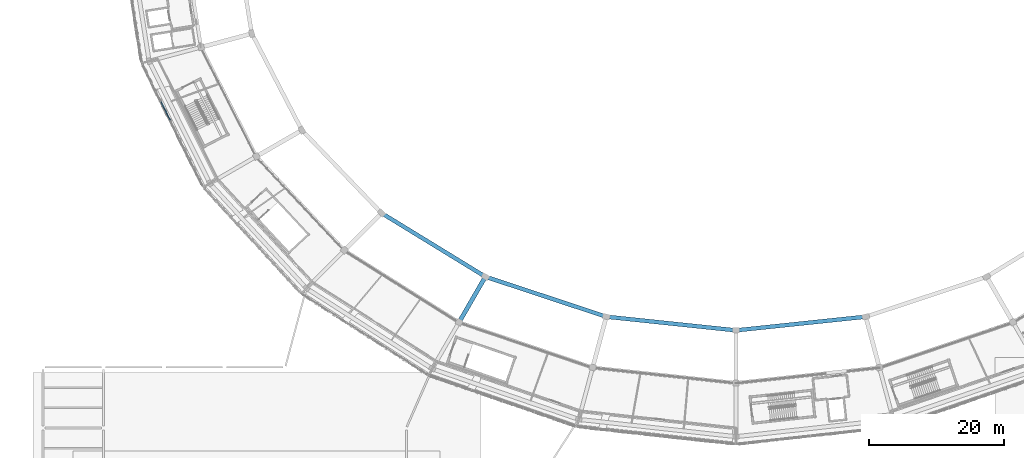
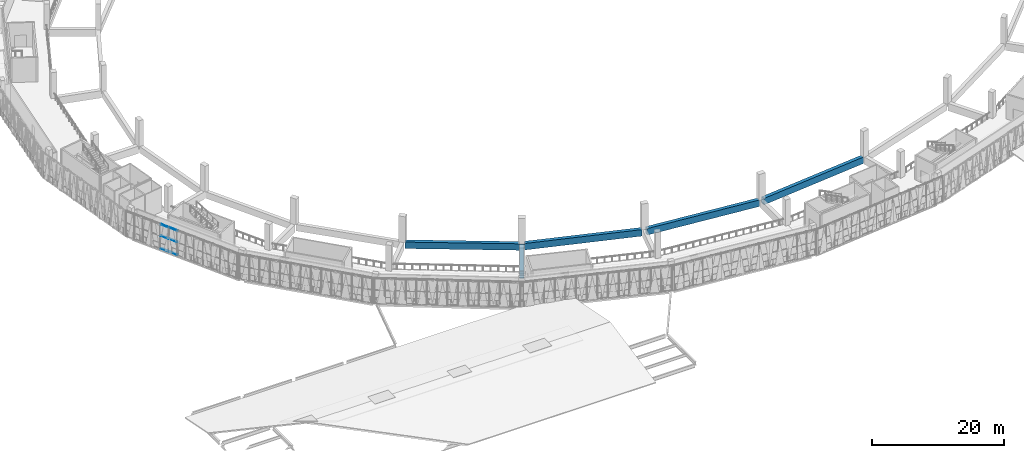
# One storey, part 11 of 108: 6 members, 5 beams, 1 element without a shape of its own.
"""IFC4 building model written with IfcOpenShell, lengths in metres."""

from ifc_helpers import new_model, si_unit, direction, frame, origin, origin_2d, place, context, subcontext, project, spatial, rectangle, extrude, material, material_profile, profile_set, type_object, element, aggregate, save


model = new_model("IFC4")

# Units and contexts
model_context = context("Model", 3, precision=1e-05, world=origin(), true_north=direction((0.0, 1.0)))
body_context = subcontext(model_context, "Body", "Model", "MODEL_VIEW")
ifc_project = project(units=[si_unit("LENGTHUNIT", "METRE"), si_unit("AREAUNIT", "SQUARE_METRE"), si_unit("VOLUMEUNIT", "CUBIC_METRE"), si_unit("PLANEANGLEUNIT", "RADIAN"), si_unit("MASSUNIT", "GRAM", prefix="KILO")], contexts=[model_context])

# Site, building, storey
site_placement = place(None, origin())
site = spatial("IfcSite", under=ifc_project, at=site_placement, CompositionType="ELEMENT")
building_placement = place(site_placement, origin())
building = spatial("IfcBuilding", under=site, at=building_placement, Name="Zevraka Park Crest Stadium", CompositionType="ELEMENT")
storey_placement = place(building_placement, frame((0.0, 0.0, 19.800048828125)))
storey = spatial("IfcBuildingStorey", under=building, at=storey_placement, Name="L04", CompositionType="ELEMENT", Elevation=19.800048828125)

# Beam
ifc_material_1 = material(Name="Concrete C40/50", Category="concrete")
ifc_material_profile_1 = material_profile(ifc_material_1, rectangle(XDim=0.64990234375, YDim=1.35009765625, at=origin_2d()), Name="RC 1350x650")
ifc_profile_set_1 = profile_set([ifc_material_profile_1], Name="Concrete C40/50")
beam_type_1 = type_object("IfcBeamType", Name="BG01", PredefinedType="BEAM", material=ifc_profile_set_1)
beam_1_placement = place(storey_placement, frame((74.60009765625, 40.2109375, -0.68505859375), z_axis=(-0.500041424909, -0.866001485781, 0.0), x_axis=(0.866001485781, -0.500041424909, 0.0)))
element("IfcBeam", 1, at=beam_1_placement, inside=storey, type_object=beam_type_1, Name="Radial Girder BG01 L04-BC-16", PredefinedType="BEAM", context=body_context, shape_type="SweptSolid", body=[
    extrude(rectangle(XDim=0.64990234375, YDim=1.35009765625, at=origin_2d()), origin(), (0.0, 0.0, 1.0), 7.19970703125),
])

# Curtain wall, members
ifc_material_2 = material(Name="Anodised architectural aluminium and laminated safety glass", Category="aluminium")
curtain_wall_type = type_object("IfcCurtainWallType", Name="CW17", PredefinedType="NOTDEFINED", material=ifc_material_2)
curtain_wall_placement = place(storey_placement, origin())
curtain_wall = element("IfcCurtainWall", 2, at=curtain_wall_placement, inside=storey, type_object=curtain_wall_type, Name="Unitised Ring Curtain Wall CW17 L04-13", PredefinedType="NOTDEFINED")
ifc_material_3 = material(Name="Anodised architectural aluminium", Category="aluminium")
ifc_material_profile_2 = material_profile(ifc_material_3, rectangle(XDim=0.139892578125, YDim=0.06494140625, at=origin_2d()), Name="ALU TRANSOM 140x65")
ifc_profile_set_2 = profile_set([ifc_material_profile_2], Name="Anodised architectural aluminium")
member_type = type_object("IfcMemberType", Name="CT02", PredefinedType="USERDEFINED", material=ifc_profile_set_2)
member_1_placement = place(storey_placement, frame((26.540771484375, 66.481201171875, 0.032470703125), z_axis=(0.443949882668, -0.896051617754, 0.0), x_axis=(0.896051617754, 0.443949882668, 0.0)))
member_1 = element("IfcMember", 3, at=member_1_placement, type_object=member_type, Name="CW17 transom 5.1", ObjectType="TRANSOM", PredefinedType="USERDEFINED", context=body_context, shape_type="SweptSolid", body=[
    extrude(rectangle(XDim=0.139892578125, YDim=0.06494140625, at=origin_2d()), origin(), (0.0, 0.0, 1.0), 1.49755859375),
])
member_2_placement = place(storey_placement, frame((26.540771484375, 66.481201171875, 2.39990234375), z_axis=(0.443949882668, -0.896051617754, 0.0), x_axis=(0.896051617754, 0.443949882668, 0.0)))
member_2 = element("IfcMember", 4, at=member_2_placement, type_object=member_type, Name="CW17 transom 5.2", ObjectType="TRANSOM", PredefinedType="USERDEFINED", context=body_context, shape_type="SweptSolid", body=[
    extrude(rectangle(XDim=0.139892578125, YDim=0.06494140625, at=origin_2d()), origin(), (0.0, 0.0, 1.0), 1.49755859375),
])
member_3_placement = place(storey_placement, frame((26.540771484375, 66.481201171875, 4.507568359375), z_axis=(0.443949882668, -0.896051617754, 0.0), x_axis=(0.896051617754, 0.443949882668, 0.0)))
member_3 = element("IfcMember", 5, at=member_3_placement, type_object=member_type, Name="CW17 transom 5.3", ObjectType="TRANSOM", PredefinedType="USERDEFINED", context=body_context, shape_type="SweptSolid", body=[
    extrude(rectangle(XDim=0.139892578125, YDim=0.06494140625, at=origin_2d()), origin(), (0.0, 0.0, 1.0), 1.49755859375),
])
member_4_placement = place(storey_placement, frame((27.234619140625, 65.081298828125, 0.032470703125), z_axis=(0.443818964624, -0.89611646935, 0.0), x_axis=(0.89611646935, 0.443818964624, 0.0)))
member_4 = element("IfcMember", 6, at=member_4_placement, type_object=member_type, Name="CW17 transom 6.1", ObjectType="TRANSOM", PredefinedType="USERDEFINED", context=body_context, shape_type="SweptSolid", body=[
    extrude(rectangle(XDim=0.139892578125, YDim=0.06494140625, at=origin_2d()), origin(), (0.0, 0.0, 1.0), 1.497314453125),
])
member_5_placement = place(storey_placement, frame((27.234619140625, 65.081298828125, 2.39990234375), z_axis=(0.443818964624, -0.89611646935, 0.0), x_axis=(0.89611646935, 0.443818964624, 0.0)))
member_5 = element("IfcMember", 7, at=member_5_placement, type_object=member_type, Name="CW17 transom 6.2", ObjectType="TRANSOM", PredefinedType="USERDEFINED", context=body_context, shape_type="SweptSolid", body=[
    extrude(rectangle(XDim=0.139892578125, YDim=0.06494140625, at=origin_2d()), origin(), (0.0, 0.0, 1.0), 1.497314453125),
])
member_6_placement = place(storey_placement, frame((27.234619140625, 65.081298828125, 4.507568359375), z_axis=(0.443818964624, -0.89611646935, 0.0), x_axis=(0.89611646935, 0.443818964624, 0.0)))
member_6 = element("IfcMember", 8, at=member_6_placement, type_object=member_type, Name="CW17 transom 6.3", ObjectType="TRANSOM", PredefinedType="USERDEFINED", context=body_context, shape_type="SweptSolid", body=[
    extrude(rectangle(XDim=0.139892578125, YDim=0.06494140625, at=origin_2d()), origin(), (0.0, 0.0, 1.0), 1.497314453125),
])
aggregate(curtain_wall, [member_1, member_2, member_3, member_4, member_5, member_6])

# Beams
ifc_material_4 = material(Name="Concrete C40/50", Category="concrete")
ifc_material_profile_3 = material_profile(ifc_material_4, rectangle(XDim=0.60009765625, YDim=1.199951171875, at=origin_2d()), Name="RC 1200x600")
ifc_profile_set_3 = profile_set([ifc_material_profile_3], Name="Concrete C40/50")
beam_type_2 = type_object("IfcBeamType", Name="RB01", PredefinedType="BEAM", material=ifc_profile_set_3)
beam_2_placement = place(storey_placement, frame((59.64501953125, 49.72802734375, -0.610107421875), z_axis=(0.852632623571, -0.522510869956, 0.0), x_axis=(0.522510869956, 0.852632623571, 0.0)))
element("IfcBeam", 9, at=beam_2_placement, inside=storey, type_object=beam_type_2, Name="Ring Beam RB01 L04-B-15", PredefinedType="BEAM", context=body_context, shape_type="SweptSolid", body=[
    extrude(rectangle(XDim=0.60009765625, YDim=1.199951171875, at=origin_2d()), origin(), (0.0, 0.0, 1.0), 17.335693359375),
])
beam_3_placement = place(storey_placement, frame((75.111083984375, 40.35205078125, -0.610107421875), z_axis=(0.949383863235, -0.314118258349, 0.0), x_axis=(0.314118258349, 0.949383863235, 0.0)))
element("IfcBeam", 10, at=beam_3_placement, inside=storey, type_object=beam_type_2, Name="Ring Beam RB01 L04-B-16", PredefinedType="BEAM", context=body_context, shape_type="SweptSolid", body=[
    extrude(rectangle(XDim=0.60009765625, YDim=1.199951171875, at=origin_2d()), origin(), (0.0, 0.0, 1.0), 18.165283203125),
])
for number, where, z_axis, x_axis, name in (
    (11, (93.095947265625, 34.487060546875, -0.610107421875), (0.994522746434, -0.1045203656, 0.0), (0.1045203656, 0.994522746434, 0.0), "Ring Beam RB01 L04-B-17"),
    (12, (112.3779296875, 32.5400390625, -0.610107421875), (0.994522746434, 0.1045203656, 0.0), (-0.1045203656, 0.994522746434, 0.0), "Ring Beam RB01 L04-B-18"),
):
    element("IfcBeam", number, at=place(storey_placement, frame(where, z_axis=z_axis, x_axis=x_axis)), inside=storey, type_object=beam_type_2, Name=name, PredefinedType="BEAM", context=body_context, shape_type="SweptSolid", body=[
        extrude(rectangle(XDim=0.60009765625, YDim=1.199951171875, at=origin_2d()), origin(), (0.0, 0.0, 1.0), 18.628173828125),
    ])

save(model, "model.ifc")
